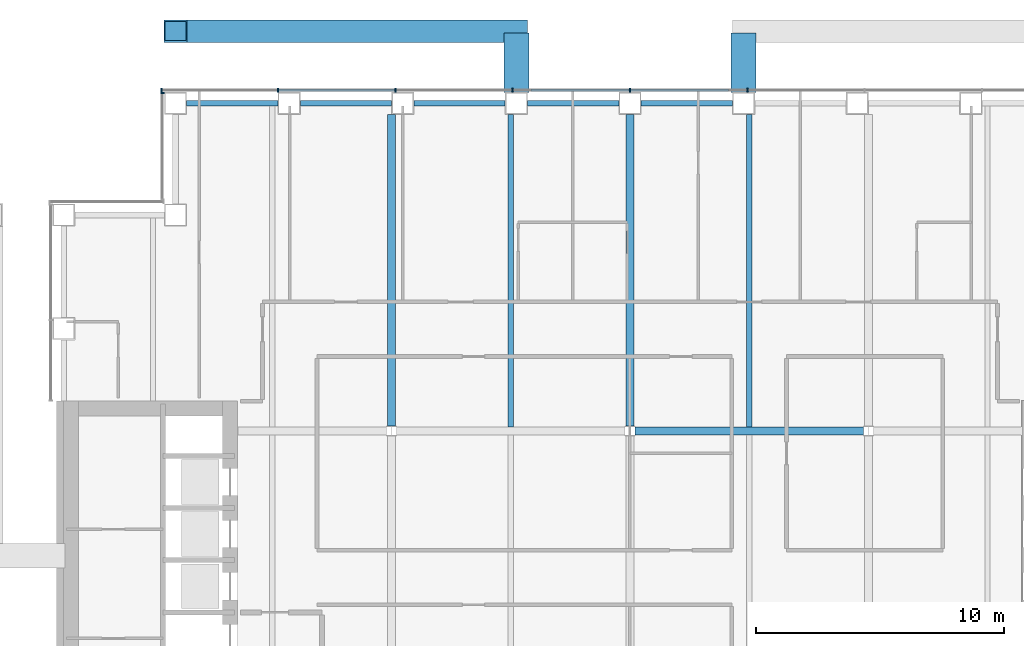
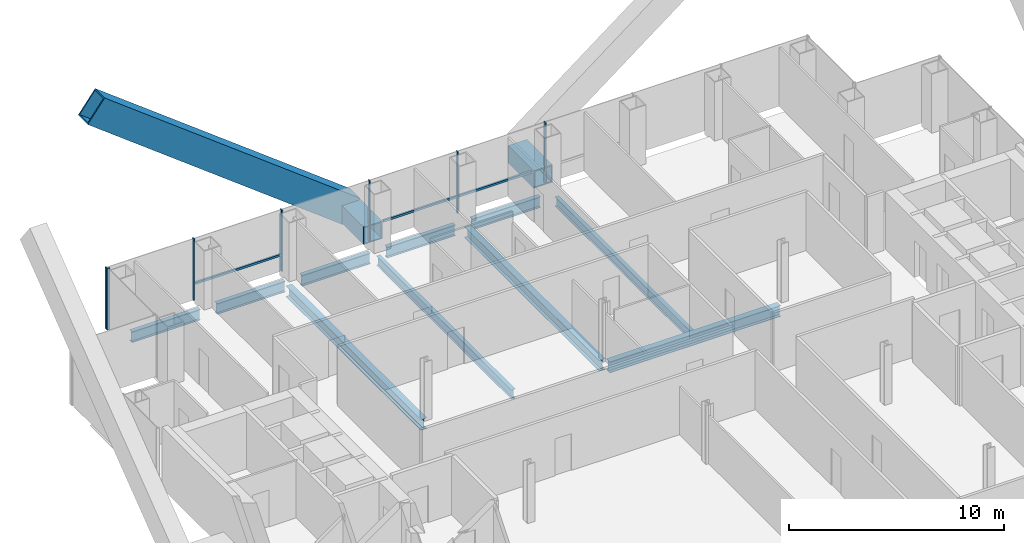
# One storey, part 8 of 17: 12 beams, 11 members, 2 elements without a shape of their own.
"""IFC4 building model written with IfcOpenShell, lengths in metres."""

from ifc_helpers import new_model, si_unit, direction, frame, origin, origin_2d, place, context, subcontext, project, spatial, rectangle, hollow_rectangle, i_section, extrude, material, material_profile, profile_set, type_object, element, aggregate, save


model = new_model("IFC4")

# Units and contexts
model_context = context("Model", 3, precision=1e-05, world=origin(), true_north=direction((0.0, 1.0)))
body_context = subcontext(model_context, "Body", "Model", "MODEL_VIEW")
ifc_project = project(units=[si_unit("LENGTHUNIT", "METRE"), si_unit("AREAUNIT", "SQUARE_METRE"), si_unit("VOLUMEUNIT", "CUBIC_METRE"), si_unit("PLANEANGLEUNIT", "RADIAN"), si_unit("MASSUNIT", "GRAM", prefix="KILO")], contexts=[model_context])

# Site, building, storey
site_placement = place(None, origin())
site = spatial("IfcSite", under=ifc_project, at=site_placement, CompositionType="ELEMENT")
building_placement = place(site_placement, origin())
building = spatial("IfcBuilding", under=site, at=building_placement, Name="Cobrizo Arcos Hotel Tower", CompositionType="ELEMENT")
storey_placement = place(building_placement, frame((0.0, 0.0, 106.5)))
storey = spatial("IfcBuildingStorey", under=building, at=storey_placement, Name="L26", CompositionType="ELEMENT", Elevation=106.5)

# Beams
ifc_material_1 = material(Name="Steel ASTM A572 Grade 50", Category="steel")
ifc_material_profile_1 = material_profile(ifc_material_1, hollow_rectangle(XDim=1.0, YDim=1.0, WallThickness=0.06005859375, at=origin_2d()), Name="BOX 1000X1000X60")
ifc_profile_set_1 = profile_set([ifc_material_profile_1], Name="Steel ASTM A572 Grade 50")
beam_type_1 = type_object("IfcBeamType", Name="BOX 1000X1000X60 brace connector strut", PredefinedType="BEAM", material=ifc_profile_set_1)
for number, where, z_axis, x_axis, name in (
    (1, (-4.574951171875, 23.239990234375, 0.5), (0.0, 1.0, 0.0), (-1.0, 0.0, 0.0), "Perimeter brace stub BS1, zone Z2, north face, offset -4.58 m, L26"),
    (2, (4.574951171875, 23.239990234375, 0.5), (0.0, 1.0, 0.0), (-1.0, 0.0, 0.0), "Perimeter brace stub BS1, zone Z2, north face, offset +4.58 m, L26"),
):
    element("IfcBeam", number, at=place(storey_placement, frame(where, z_axis=z_axis, x_axis=x_axis)), inside=storey, type_object=beam_type_1, Name=name, PredefinedType="BEAM", context=body_context, shape_type="SweptSolid", body=[
        extrude(hollow_rectangle(XDim=1.0, YDim=1.0, WallThickness=0.06005859375, at=origin_2d()), origin(), (0.0, 0.0, 1.0), 2.380126953125),
    ])

# Member
ifc_material_profile_2 = material_profile(ifc_material_1, hollow_rectangle(XDim=0.89990234375, YDim=1.5, WallThickness=0.06494140625, at=origin_2d()), Name="BOX 900X1500X65")
ifc_profile_set_2 = profile_set([ifc_material_profile_2], Name="Steel ASTM A572 Grade 50")
member_type_1 = type_object("IfcMemberType", Name="BOX 900X1500X65 perimeter brace", PredefinedType="BRACE", material=ifc_profile_set_2)
member_1_placement = place(storey_placement, frame((-4.574951171875, 25.699951171875, 0.5), z_axis=(-0.794236712941, 0.0, 0.607608462595), x_axis=(0.0, -1.0, 0.0)))
element("IfcMember", 3, at=member_1_placement, inside=storey, type_object=member_type_1, Name="Perimeter brace PBR2, zone Z2, north face, no. 03", PredefinedType="BRACE", context=body_context, shape_type="SweptSolid", body=[
    extrude(hollow_rectangle(XDim=0.89990234375, YDim=1.5, WallThickness=0.06494140625, at=origin_2d()), origin(), (0.0, 0.0, 1.0), 17.28076171875),
])

# Curtain wall, members
ifc_material_2 = material(Name="Aluminium 6063-T6 anodised bronze", Category="aluminium")
curtain_wall_type = type_object("IfcCurtainWallType", Name="CW-A guest facade", PredefinedType="NOTDEFINED", material=ifc_material_2)
curtain_wall_1_placement = place(storey_placement, origin())
curtain_wall_1 = element("IfcCurtainWall", 4, at=curtain_wall_1_placement, inside=storey, type_object=curtain_wall_type, Name="CW-A L26 N face", PredefinedType="NOTDEFINED")
ifc_material_profile_3 = material_profile(ifc_material_2, rectangle(XDim=0.14990234375, YDim=0.06005859375, at=origin_2d()), Name="CW-A mullion 150x60")
ifc_profile_set_3 = profile_set([ifc_material_profile_3], Name="Aluminium 6063-T6 anodised bronze")
member_type_2 = type_object("IfcMemberType", Name="CW-A mullion 150x60", PredefinedType="MULLION", material=ifc_profile_set_3)
member_2_placement = place(storey_placement, frame((4.72509765625, 23.324951171875, 0.0), z_axis=(0.0, 0.0, 1.0), x_axis=(0.0, 1.0, 0.0)))
member_2 = element("IfcMember", 5, at=member_2_placement, type_object=member_type_2, Name="CW-A mullion 4", PredefinedType="MULLION", context=body_context, shape_type="SweptSolid", body=[
    extrude(rectangle(XDim=0.14990234375, YDim=0.06005859375, at=origin_2d()), origin(), (0.0, 0.0, 1.0), 3.5),
])
member_3_placement = place(storey_placement, frame((0.0, 23.324951171875, 0.0), z_axis=(0.0, 0.0, 1.0), x_axis=(0.0, 1.0, 0.0)))
member_3 = element("IfcMember", 6, at=member_3_placement, type_object=member_type_2, Name="CW-A mullion 5", PredefinedType="MULLION", context=body_context, shape_type="SweptSolid", body=[
    extrude(rectangle(XDim=0.14990234375, YDim=0.06005859375, at=origin_2d()), origin(), (0.0, 0.0, 1.0), 3.5),
])
member_4_placement = place(storey_placement, frame((-4.72509765625, 23.324951171875, 0.0), z_axis=(0.0, 0.0, 1.0), x_axis=(0.0, 1.0, 0.0)))
member_4 = element("IfcMember", 7, at=member_4_placement, type_object=member_type_2, Name="CW-A mullion 6", PredefinedType="MULLION", context=body_context, shape_type="SweptSolid", body=[
    extrude(rectangle(XDim=0.14990234375, YDim=0.06005859375, at=origin_2d()), origin(), (0.0, 0.0, 1.0), 3.5),
])
member_5_placement = place(storey_placement, frame((-9.449951171875, 23.324951171875, 0.0), z_axis=(0.0, 0.0, 1.0), x_axis=(0.0, 1.0, 0.0)))
member_5 = element("IfcMember", 8, at=member_5_placement, type_object=member_type_2, Name="CW-A mullion 7", PredefinedType="MULLION", context=body_context, shape_type="SweptSolid", body=[
    extrude(rectangle(XDim=0.14990234375, YDim=0.06005859375, at=origin_2d()), origin(), (0.0, 0.0, 1.0), 3.5),
])
member_6_placement = place(storey_placement, frame((-14.175048828125, 23.324951171875, 0.0), z_axis=(0.0, 0.0, 1.0), x_axis=(0.0, 1.0, 0.0)))
member_6 = element("IfcMember", 9, at=member_6_placement, type_object=member_type_2, Name="CW-A mullion 8", PredefinedType="MULLION", context=body_context, shape_type="SweptSolid", body=[
    extrude(rectangle(XDim=0.14990234375, YDim=0.06005859375, at=origin_2d()), origin(), (0.0, 0.0, 1.0), 3.5),
])
member_7_placement = place(storey_placement, frame((-18.8701171875, 23.324951171875, 0.0), z_axis=(0.0, 0.0, 1.0), x_axis=(0.0, 1.0, 0.0)))
member_7 = element("IfcMember", 10, at=member_7_placement, type_object=member_type_2, Name="CW-A mullion 9", PredefinedType="MULLION", context=body_context, shape_type="SweptSolid", body=[
    extrude(rectangle(XDim=0.14990234375, YDim=0.06005859375, at=origin_2d()), origin(), (0.0, 0.0, 1.0), 3.5),
])

# Curtain wall, member
curtain_wall_2_placement = place(storey_placement, origin())
curtain_wall_2 = element("IfcCurtainWall", 11, at=curtain_wall_2_placement, inside=storey, type_object=curtain_wall_type, Name="CW-A L26 W face", PredefinedType="NOTDEFINED")
member_8_placement = place(storey_placement, frame((-18.824951171875, 23.219970703125, 0.0), z_axis=(0.0, 0.0, 1.0), x_axis=(-1.0, 0.0, 0.0)))
member_8 = element("IfcMember", 12, at=member_8_placement, type_object=member_type_2, Name="CW-A mullion 1", PredefinedType="MULLION", context=body_context, shape_type="SweptSolid", body=[
    extrude(rectangle(XDim=0.14990234375, YDim=0.06005859375, at=origin_2d()), origin(), (0.0, 0.0, 1.0), 3.5),
])
aggregate(curtain_wall_2, [member_8])

# Member
ifc_material_profile_4 = material_profile(ifc_material_2, rectangle(XDim=0.10009765625, YDim=0.1201171875, at=origin_2d()), Name="CW-A transom 120x100")
ifc_profile_set_4 = profile_set([ifc_material_profile_4], Name="Aluminium 6063-T6 anodised bronze")
member_type_3 = type_object("IfcMemberType", Name="CW-A transom 120x100", PredefinedType="USERDEFINED", material=ifc_profile_set_4)
member_9_placement = place(storey_placement, frame((3.97509765625, 23.324951171875, 0.929931640625), z_axis=(-1.0, 0.0, 0.0), x_axis=(0.0, -1.0, 0.0)))
member_9 = element("IfcMember", 13, at=member_9_placement, type_object=member_type_3, Name="CW-A transom 1030", ObjectType="TRANSOM", PredefinedType="USERDEFINED", context=body_context, shape_type="SweptSolid", body=[
    extrude(rectangle(XDim=0.10009765625, YDim=0.1201171875, at=origin_2d()), origin(), (0.0, 0.0, 1.0), 3.945068359375),
])

member_10_placement = place(storey_placement, frame((-0.030029296875, 23.324951171875, 0.929931640625), z_axis=(-1.0, 0.0, 0.0), x_axis=(0.0, -1.0, 0.0)))
member_10 = element("IfcMember", 14, at=member_10_placement, type_object=member_type_3, Name="CW-A transom 1031", ObjectType="TRANSOM", PredefinedType="USERDEFINED", context=body_context, shape_type="SweptSolid", body=[
    extrude(rectangle(XDim=0.10009765625, YDim=0.1201171875, at=origin_2d()), origin(), (0.0, 0.0, 1.0), 3.945068359375),
])

member_11_placement = place(storey_placement, frame((-9.47998046875, 23.324951171875, 0.929931640625), z_axis=(-1.0, 0.0, 0.0), x_axis=(0.0, -1.0, 0.0)))
member_11 = element("IfcMember", 15, at=member_11_placement, type_object=member_type_3, Name="CW-A transom 1033", ObjectType="TRANSOM", PredefinedType="USERDEFINED", context=body_context, shape_type="SweptSolid", body=[
    extrude(rectangle(XDim=0.10009765625, YDim=0.1201171875, at=origin_2d()), origin(), (0.0, 0.0, 1.0), 4.6650390625),
])

aggregate(curtain_wall_1, [member_2, member_3, member_4, member_5, member_6, member_7, member_9, member_10, member_11])

# Beams
ifc_material_3 = material(Name="Steel ASTM A992 Grade 50", Category="steel")
ifc_material_profile_5 = material_profile(ifc_material_3, i_section(OverallWidth=0.209228515625, OverallDepth=0.533447265625, WebThickness=0.01025390625, FlangeThickness=0.015625, at=origin_2d()), Name="W21X62")
ifc_profile_set_5 = profile_set([ifc_material_profile_5], Name="Steel ASTM A992 Grade 50")
beam_type_2 = type_object("IfcBeamType", Name="W21X62 joist", PredefinedType="JOIST", material=ifc_profile_set_5)
for number, where, z_axis, x_axis, name in (
    (16, (-4.800048828125, 9.763916015625, -0.416748046875), (0.0, 1.0, 0.0), (-1.0, 0.0, 0.0), "Floor joist J1, L26, no. 010"),
    (17, (4.800048828125, 9.763916015625, -0.416748046875), (0.0, 1.0, 0.0), (-1.0, 0.0, 0.0), "Floor joist J1, L26, no. 014"),
):
    element("IfcBeam", number, at=place(storey_placement, frame(where, z_axis=z_axis, x_axis=x_axis)), inside=storey, type_object=beam_type_2, Name=name, PredefinedType="JOIST", context=body_context, shape_type="SweptSolid", body=[
        extrude(i_section(OverallWidth=0.209228515625, OverallDepth=0.533447265625, WebThickness=0.01025390625, FlangeThickness=0.015625, at=origin_2d()), origin(), (0.0, 0.0, 1.0), 12.586181640625),
    ])
ifc_material_profile_6 = material_profile(ifc_material_3, i_section(OverallWidth=0.32763671875, OverallDepth=0.622314453125, WebThickness=0.015380859375, FlangeThickness=0.0244140625, at=origin_2d()), Name="W24X131")
ifc_profile_set_6 = profile_set([ifc_material_profile_6], Name="Steel ASTM A992 Grade 50")
beam_type_3 = type_object("IfcBeamType", Name="W24X131 girder", PredefinedType="BEAM", material=ifc_profile_set_6)
beam_1_placement = place(storey_placement, frame((0.199462890625, 9.60009765625, -0.461181640625), z_axis=(1.0, 0.0, 0.0), x_axis=(0.0, 1.0, 0.0)))
element("IfcBeam", 18, at=beam_1_placement, inside=storey, type_object=beam_type_3, Name="Floor girder G1, L26, no. 011", PredefinedType="BEAM", context=body_context, shape_type="SweptSolid", body=[
    extrude(i_section(OverallWidth=0.32763671875, OverallDepth=0.622314453125, WebThickness=0.015380859375, FlangeThickness=0.0244140625, at=origin_2d()), origin(), (0.0, 0.0, 1.0), 9.201171875),
])
for number, where, z_axis, x_axis, name in (
    (19, (-9.60009765625, 9.79931640625, -0.461181640625), (0.0, 1.0, 0.0), (-1.0, 0.0, 0.0), "Floor girder G1, L26, no. 016"),
    (20, (0.0, 9.79931640625, -0.461181640625), (0.0, 1.0, 0.0), (-1.0, 0.0, 0.0), "Floor girder G1, L26, no. 020"),
):
    element("IfcBeam", number, at=place(storey_placement, frame(where, z_axis=z_axis, x_axis=x_axis)), inside=storey, type_object=beam_type_3, Name=name, PredefinedType="BEAM", context=body_context, shape_type="SweptSolid", body=[
        extrude(i_section(OverallWidth=0.32763671875, OverallDepth=0.622314453125, WebThickness=0.015380859375, FlangeThickness=0.0244140625, at=origin_2d()), origin(), (0.0, 0.0, 1.0), 12.55078125),
    ])
ifc_material_profile_7 = material_profile(ifc_material_3, i_section(OverallWidth=0.23046875, OverallDepth=0.6171875, WebThickness=0.01318359375, FlangeThickness=0.022216796875, at=origin_2d()), Name="W24X94")
ifc_profile_set_7 = profile_set([ifc_material_profile_7], Name="Steel ASTM A992 Grade 50")
beam_type_4 = type_object("IfcBeamType", Name="W24X94 spandrel", PredefinedType="SPANDREL", material=ifc_profile_set_7)
for number, where, z_axis, x_axis, name in (
    (21, (4.125, 22.800048828125, -0.45849609375), (-1.0, 0.0, 0.0), (0.0, -1.0, 0.0), "Spandrel beam W24X94, L26, no. 020"),
    (22, (-0.449951171875, 22.800048828125, -0.45849609375), (-1.0, 0.0, 0.0), (0.0, -1.0, 0.0), "Spandrel beam W24X94, L26, no. 021"),
    (23, (-5.02490234375, 22.800048828125, -0.45849609375), (-1.0, 0.0, 0.0), (0.0, -1.0, 0.0), "Spandrel beam W24X94, L26, no. 022"),
):
    element("IfcBeam", number, at=place(storey_placement, frame(where, z_axis=z_axis, x_axis=x_axis)), inside=storey, type_object=beam_type_4, Name=name, PredefinedType="SPANDREL", context=body_context, shape_type="SweptSolid", body=[
        extrude(i_section(OverallWidth=0.23046875, OverallDepth=0.6171875, WebThickness=0.01318359375, FlangeThickness=0.022216796875, at=origin_2d()), origin(), (0.0, 0.0, 1.0), 3.675048828125),
    ])
beam_2_placement = place(storey_placement, frame((-9.60009765625, 22.800048828125, -0.45849609375), z_axis=(-1.0, 0.0, 0.0), x_axis=(0.0, -1.0, 0.0)))
element("IfcBeam", 24, at=beam_2_placement, inside=storey, type_object=beam_type_4, Name="Spandrel beam W24X94, L26, no. 023", PredefinedType="SPANDREL", context=body_context, shape_type="SweptSolid", body=[
    extrude(i_section(OverallWidth=0.23046875, OverallDepth=0.6171875, WebThickness=0.01318359375, FlangeThickness=0.022216796875, at=origin_2d()), origin(), (0.0, 0.0, 1.0), 3.6748046875),
])
beam_3_placement = place(storey_placement, frame((-14.175048828125, 22.800048828125, -0.45849609375), z_axis=(-1.0, 0.0, 0.0), x_axis=(0.0, -1.0, 0.0)))
element("IfcBeam", 25, at=beam_3_placement, inside=storey, type_object=beam_type_4, Name="Spandrel beam W24X94, L26, no. 024", PredefinedType="SPANDREL", context=body_context, shape_type="SweptSolid", body=[
    extrude(i_section(OverallWidth=0.23046875, OverallDepth=0.6171875, WebThickness=0.01318359375, FlangeThickness=0.022216796875, at=origin_2d()), origin(), (0.0, 0.0, 1.0), 3.675048828125),
])

save(model, "model.ifc")
